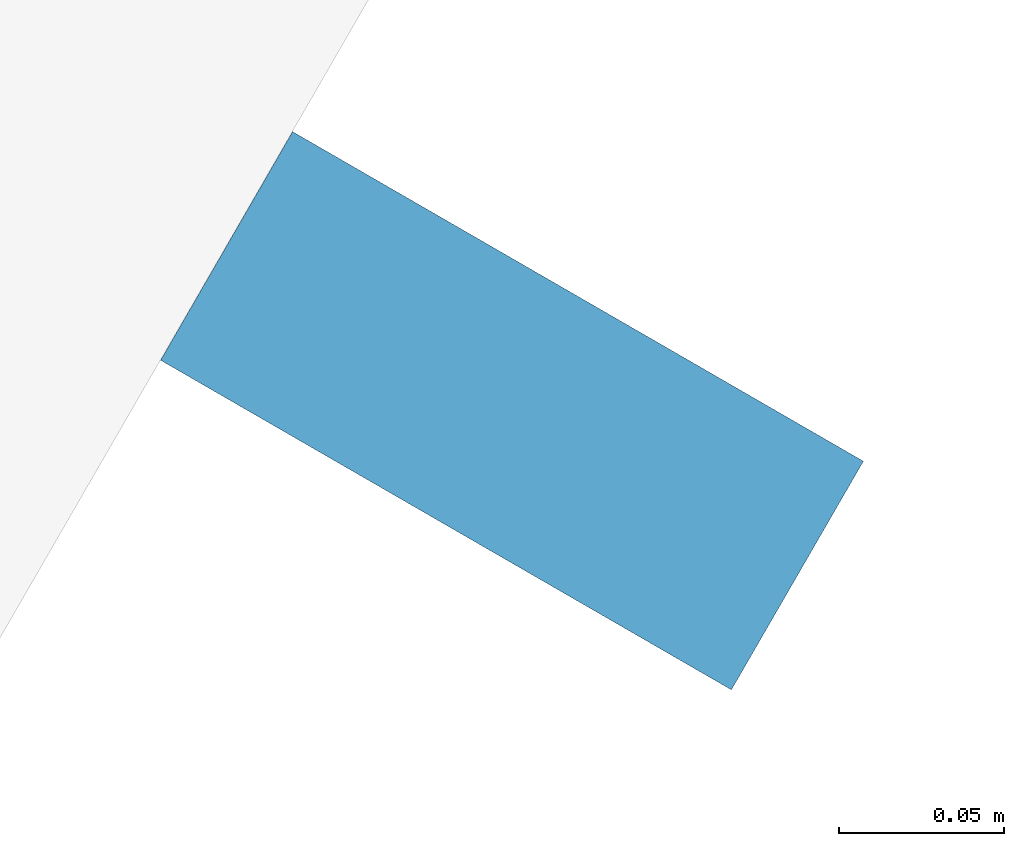
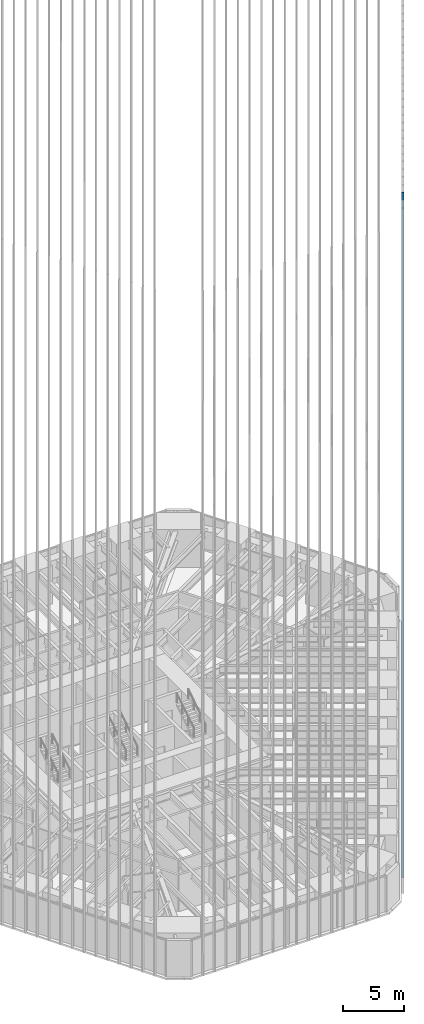
# One storey, part 82 of 256: 1 member, 1 element without a shape of its own.
"""IFC4 building model written with IfcOpenShell, lengths in metres."""

from ifc_helpers import new_model, si_unit, direction, frame, origin, origin_2d, place, context, subcontext, project, spatial, rectangle, extrude, material, material_profile, profile_set, type_object, element, aggregate, save


model = new_model("IFC4")

# Units and contexts
model_context = context("Model", 3, precision=1e-05, world=origin(), true_north=direction((0.0, 1.0)))
body_context = subcontext(model_context, "Body", "Model", "MODEL_VIEW")
ifc_project = project(units=[si_unit("LENGTHUNIT", "METRE"), si_unit("AREAUNIT", "SQUARE_METRE"), si_unit("VOLUMEUNIT", "CUBIC_METRE"), si_unit("PLANEANGLEUNIT", "RADIAN"), si_unit("MASSUNIT", "GRAM", prefix="KILO")], contexts=[model_context])

# Site, building, storey
site_placement = place(None, origin())
site = spatial("IfcSite", under=ifc_project, at=site_placement, CompositionType="ELEMENT")
building_placement = place(site_placement, origin())
building = spatial("IfcBuilding", under=site, at=building_placement, Name="Sandreach Pilgrim Tower", CompositionType="ELEMENT")
storey_placement = place(building_placement, frame((0.0, 0.0, 23.0)))
storey = spatial("IfcBuildingStorey", under=building, at=storey_placement, Name="L04", CompositionType="ELEMENT", Elevation=23.0)

# Curtain wall, member
ifc_material_1 = material(Name="Aluminium framed curtain wall", Category="aluminium")
curtain_wall_type = type_object("IfcCurtainWallType", Name="Hostel tower curtain wall", PredefinedType="NOTDEFINED", material=ifc_material_1)
curtain_wall_placement = place(storey_placement, origin())
curtain_wall = element("IfcCurtainWall", 1, at=curtain_wall_placement, inside=storey, type_object=curtain_wall_type, Name="CW-1 L04 SE", PredefinedType="NOTDEFINED")
ifc_material_2 = material(Name="Extruded terracotta on aluminium core", Category="masonry")
ifc_material_profile = material_profile(ifc_material_2, rectangle(XDim=0.080078125, YDim=0.199951171875, at=origin_2d()), Name="TBE 80X200")
ifc_profile_set = profile_set([ifc_material_profile], Name="Extruded terracotta on aluminium core")
member_type = type_object("IfcMemberType", Name="Terracotta baguette east", PredefinedType="USERDEFINED", material=ifc_profile_set)
member_placement = place(storey_placement, frame((12.793701171875, -26.5380859375, 0.0), z_axis=(0.0, 0.0, 1.0), x_axis=(-0.5, -0.866025403784, 0.0)))
member = element("IfcMember", 2, at=member_placement, type_object=member_type, Name="Baguette Z1 SE33", ObjectType="BAGUETTE", PredefinedType="USERDEFINED", context=body_context, shape_type="SweptSolid", body=[
    extrude(rectangle(XDim=0.080078125, YDim=0.199951171875, at=origin_2d()), origin(), (0.0, 0.0, 1.0), 68.239990234375),
])
aggregate(curtain_wall, [member])

save(model, "model.ifc")
